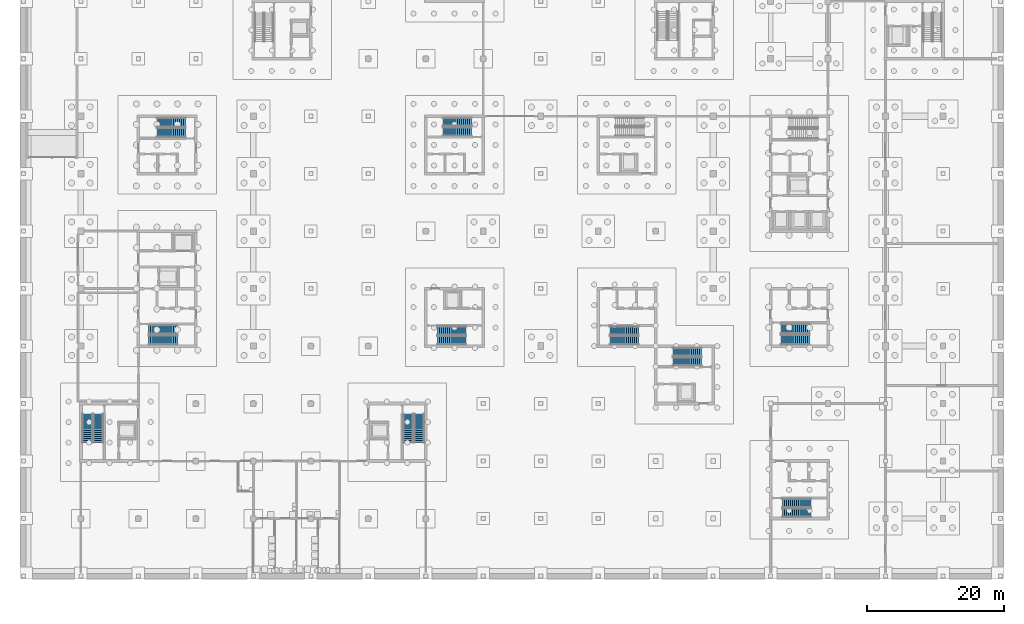
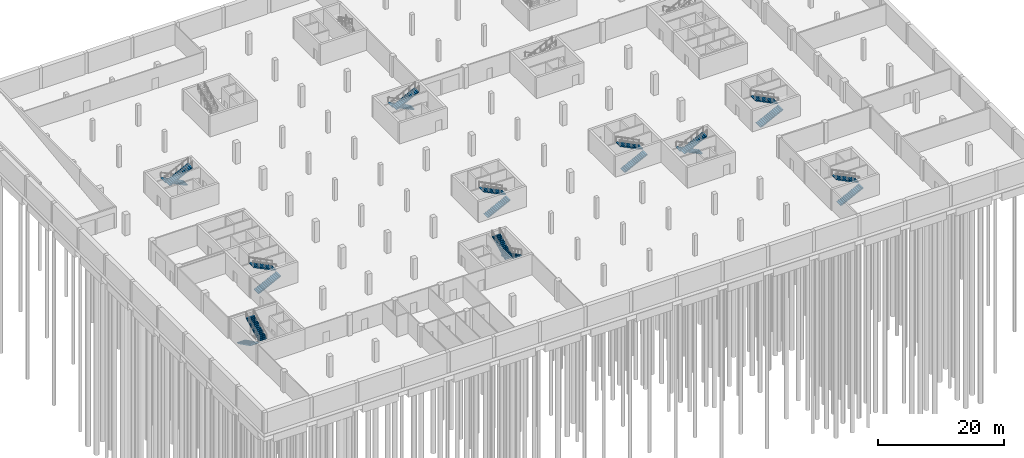
# One storey, part 19 of 23: 20 stair flights, 10 elements without a shape of their own.
"""IFC4 building model written with IfcOpenShell, lengths in metres."""

from ifc_helpers import new_model, si_unit, direction, frame, origin, place, context, subcontext, project, spatial, polyline, outline, extrude, material, type_object, element, aggregate, save


model = new_model("IFC4")

# Units and contexts
model_context = context("Model", 3, precision=1e-05, world=origin(), true_north=direction((0.0, 1.0)))
body_context = subcontext(model_context, "Body", "Model", "MODEL_VIEW")
ifc_project = project(units=[si_unit("LENGTHUNIT", "METRE"), si_unit("AREAUNIT", "SQUARE_METRE"), si_unit("VOLUMEUNIT", "CUBIC_METRE"), si_unit("PLANEANGLEUNIT", "RADIAN"), si_unit("MASSUNIT", "GRAM", prefix="KILO")], contexts=[model_context])

# Site, building, storey
site_placement = place(None, origin())
site = spatial("IfcSite", under=ifc_project, at=site_placement, CompositionType="ELEMENT")
building_placement = place(site_placement, origin())
building = spatial("IfcBuilding", under=site, at=building_placement, Name="Hlaing Beacon Police Headquarters", CompositionType="ELEMENT")
storey_placement = place(building_placement, frame((0.0, 0.0, -4.5)))
storey = spatial("IfcBuildingStorey", under=building, at=storey_placement, Name="B1", CompositionType="ELEMENT", Elevation=-4.5)

# Stair, stair flights
ifc_material_1 = material(Name="Concrete C40/50", Category="concrete")
stair_type_1 = type_object("IfcStairType", Name="Half-turn stair 1300 wide, 4500 rise", PredefinedType="HALF_TURN_STAIR", material=ifc_material_1)
stair_1_placement = place(storey_placement, origin())
stair_1 = element("IfcStair", 1, at=stair_1_placement, inside=storey, type_object=stair_type_1, Name="Stair ST-A", PredefinedType="HALF_TURN_STAIR")
ifc_material_2 = material(Name="Concrete C40/50", Category="concrete")
stair_flight_type_1 = type_object("IfcStairFlightType", Name="Stair flight 1300 wide, 15 risers", PredefinedType="STRAIGHT", material=ifc_material_2)
stair_flight_1_placement = place(storey_placement, frame((60.5, 34.449951171875, 0.0), z_axis=(0.0, 0.0, 1.0), x_axis=(1.0, 0.0, 0.0)))
stair_flight_1 = element("IfcStairFlight", 2, at=stair_flight_1_placement, type_object=stair_flight_type_1, Name="ST-A flight 1", NumberOfRisers=15, NumberOfTreads=14, PredefinedType="STRAIGHT", RiserHeight=0.15, TreadLength=0.3, context=body_context, shape_type="SweptSolid", body=[
    extrude(outline(polyline([(0.0, 0.0), (0.0, 0.14990234375), (0.300048828125, 0.14990234375), (0.300048828125, 0.300048828125), (0.60009765625, 0.300048828125), (0.60009765625, 0.449951171875), (0.89990234375, 0.449951171875), (0.89990234375, 0.60009765625), (1.199951171875, 0.60009765625), (1.199951171875, 0.75), (1.5, 0.75), (1.5, 0.89990234375), (1.800048828125, 0.89990234375), (1.800048828125, 1.050048828125), (2.10009765625, 1.050048828125), (2.10009765625, 1.199951171875), (2.39990234375, 1.199951171875), (2.39990234375, 1.35009765625), (2.699951171875, 1.35009765625), (2.699951171875, 1.5), (3.0, 1.5), (3.0, 1.64990234375), (3.300048828125, 1.64990234375), (3.300048828125, 1.800048828125), (3.60009765625, 1.800048828125), (3.60009765625, 1.949951171875), (3.89990234375, 1.949951171875), (3.89990234375, 2.10009765625), (4.199951171875, 2.10009765625), (4.199951171875, 2.25), (4.199951171875, 1.932373046875), (0.335205078125, 0.0), (0.0, 0.0)])), frame((0.0, 0.64990234375, 0.0), z_axis=(0.0, -1.0, 0.0), x_axis=(1.0, 0.0, 0.0)), (0.0, 0.0, 1.0), 1.300048828125),
])
stair_flight_2_placement = place(storey_placement, frame((64.699951171875, 35.85009765625, 2.25), z_axis=(0.0, 0.0, 1.0), x_axis=(-1.0, 0.0, 0.0)))
stair_flight_2 = element("IfcStairFlight", 3, at=stair_flight_2_placement, type_object=stair_flight_type_1, Name="ST-A flight 2", NumberOfRisers=15, NumberOfTreads=14, PredefinedType="STRAIGHT", RiserHeight=0.15, TreadLength=0.3, context=body_context, shape_type="SweptSolid", body=[
    extrude(outline(polyline([(0.0, 0.0), (0.0, 0.14990234375), (0.300048828125, 0.14990234375), (0.300048828125, 0.300048828125), (0.60009765625, 0.300048828125), (0.60009765625, 0.449951171875), (0.89990234375, 0.449951171875), (0.89990234375, 0.60009765625), (1.199951171875, 0.60009765625), (1.199951171875, 0.75), (1.5, 0.75), (1.5, 0.89990234375), (1.800048828125, 0.89990234375), (1.800048828125, 1.050048828125), (2.10009765625, 1.050048828125), (2.10009765625, 1.199951171875), (2.39990234375, 1.199951171875), (2.39990234375, 1.35009765625), (2.699951171875, 1.35009765625), (2.699951171875, 1.5), (3.0, 1.5), (3.0, 1.64990234375), (3.300048828125, 1.64990234375), (3.300048828125, 1.800048828125), (3.60009765625, 1.800048828125), (3.60009765625, 1.949951171875), (3.89990234375, 1.949951171875), (3.89990234375, 2.10009765625), (4.199951171875, 2.10009765625), (4.199951171875, 2.25), (4.199951171875, 1.932373046875), (0.335205078125, 0.0), (0.0, 0.0)])), frame((0.0, 0.64990234375, 0.0), z_axis=(0.0, -1.0, 0.0), x_axis=(1.0, 0.0, 0.0)), (0.0, 0.0, 1.0), 1.300048828125),
])
aggregate(stair_1, [stair_flight_1, stair_flight_2])

stair_2_placement = place(storey_placement, origin())
stair_2 = element("IfcStair", 4, at=stair_2_placement, inside=storey, type_object=stair_type_1, Name="Stair ST-B", PredefinedType="HALF_TURN_STAIR")
stair_flight_3_placement = place(storey_placement, frame((65.5, 66.35009765625, 0.0), z_axis=(0.0, 0.0, 1.0), x_axis=(-1.0, 0.0, 0.0)))
stair_flight_3 = element("IfcStairFlight", 5, at=stair_flight_3_placement, type_object=stair_flight_type_1, Name="ST-B flight 1", NumberOfRisers=15, NumberOfTreads=14, PredefinedType="STRAIGHT", RiserHeight=0.15, TreadLength=0.3, context=body_context, shape_type="SweptSolid", body=[
    extrude(outline(polyline([(0.0, 0.0), (0.0, 0.14990234375), (0.300048828125, 0.14990234375), (0.300048828125, 0.300048828125), (0.60009765625, 0.300048828125), (0.60009765625, 0.449951171875), (0.89990234375, 0.449951171875), (0.89990234375, 0.60009765625), (1.199951171875, 0.60009765625), (1.199951171875, 0.75), (1.5, 0.75), (1.5, 0.89990234375), (1.800048828125, 0.89990234375), (1.800048828125, 1.050048828125), (2.10009765625, 1.050048828125), (2.10009765625, 1.199951171875), (2.39990234375, 1.199951171875), (2.39990234375, 1.35009765625), (2.699951171875, 1.35009765625), (2.699951171875, 1.5), (3.0, 1.5), (3.0, 1.64990234375), (3.300048828125, 1.64990234375), (3.300048828125, 1.800048828125), (3.60009765625, 1.800048828125), (3.60009765625, 1.949951171875), (3.89990234375, 1.949951171875), (3.89990234375, 2.10009765625), (4.199951171875, 2.10009765625), (4.199951171875, 2.25), (4.199951171875, 1.932373046875), (0.335205078125, 0.0), (0.0, 0.0)])), frame((0.0, 0.64990234375, 0.0), z_axis=(0.0, -1.0, 0.0), x_axis=(1.0, 0.0, 0.0)), (0.0, 0.0, 1.0), 1.300048828125),
])
stair_flight_4_placement = place(storey_placement, frame((61.300048828125, 64.949951171875, 2.25), z_axis=(0.0, 0.0, 1.0), x_axis=(1.0, 0.0, 0.0)))
stair_flight_4 = element("IfcStairFlight", 6, at=stair_flight_4_placement, type_object=stair_flight_type_1, Name="ST-B flight 2", NumberOfRisers=15, NumberOfTreads=14, PredefinedType="STRAIGHT", RiserHeight=0.15, TreadLength=0.3, context=body_context, shape_type="SweptSolid", body=[
    extrude(outline(polyline([(0.0, 0.0), (0.0, 0.14990234375), (0.300048828125, 0.14990234375), (0.300048828125, 0.300048828125), (0.60009765625, 0.300048828125), (0.60009765625, 0.449951171875), (0.89990234375, 0.449951171875), (0.89990234375, 0.60009765625), (1.199951171875, 0.60009765625), (1.199951171875, 0.75), (1.5, 0.75), (1.5, 0.89990234375), (1.800048828125, 0.89990234375), (1.800048828125, 1.050048828125), (2.10009765625, 1.050048828125), (2.10009765625, 1.199951171875), (2.39990234375, 1.199951171875), (2.39990234375, 1.35009765625), (2.699951171875, 1.35009765625), (2.699951171875, 1.5), (3.0, 1.5), (3.0, 1.64990234375), (3.300048828125, 1.64990234375), (3.300048828125, 1.800048828125), (3.60009765625, 1.800048828125), (3.60009765625, 1.949951171875), (3.89990234375, 1.949951171875), (3.89990234375, 2.10009765625), (4.199951171875, 2.10009765625), (4.199951171875, 2.25), (4.199951171875, 1.932373046875), (0.335205078125, 0.0), (0.0, 0.0)])), frame((0.0, 0.64990234375, 0.0), z_axis=(0.0, -1.0, 0.0), x_axis=(1.0, 0.0, 0.0)), (0.0, 0.0, 1.0), 1.300048828125),
])
aggregate(stair_2, [stair_flight_3, stair_flight_4])

stair_3_placement = place(storey_placement, origin())
stair_3 = element("IfcStair", 7, at=stair_3_placement, inside=storey, type_object=stair_type_1, Name="Stair ST-C", PredefinedType="HALF_TURN_STAIR")
stair_flight_5_placement = place(storey_placement, frame((85.699951171875, 34.449951171875, 0.0), z_axis=(0.0, 0.0, 1.0), x_axis=(1.0, 0.0, 0.0)))
stair_flight_5 = element("IfcStairFlight", 8, at=stair_flight_5_placement, type_object=stair_flight_type_1, Name="ST-C flight 1", NumberOfRisers=15, NumberOfTreads=14, PredefinedType="STRAIGHT", RiserHeight=0.15, TreadLength=0.3, context=body_context, shape_type="SweptSolid", body=[
    extrude(outline(polyline([(0.0, 0.0), (0.0, 0.14990234375), (0.300048828125, 0.14990234375), (0.300048828125, 0.300048828125), (0.60009765625, 0.300048828125), (0.60009765625, 0.449951171875), (0.89990234375, 0.449951171875), (0.89990234375, 0.60009765625), (1.199951171875, 0.60009765625), (1.199951171875, 0.75), (1.5, 0.75), (1.5, 0.89990234375), (1.800048828125, 0.89990234375), (1.800048828125, 1.050048828125), (2.10009765625, 1.050048828125), (2.10009765625, 1.199951171875), (2.39990234375, 1.199951171875), (2.39990234375, 1.35009765625), (2.699951171875, 1.35009765625), (2.699951171875, 1.5), (3.0, 1.5), (3.0, 1.64990234375), (3.300048828125, 1.64990234375), (3.300048828125, 1.800048828125), (3.60009765625, 1.800048828125), (3.60009765625, 1.949951171875), (3.89990234375, 1.949951171875), (3.89990234375, 2.10009765625), (4.199951171875, 2.10009765625), (4.199951171875, 2.25), (4.199951171875, 1.932373046875), (0.335205078125, 0.0), (0.0, 0.0)])), frame((0.0, 0.64990234375, 0.0), z_axis=(0.0, -1.0, 0.0), x_axis=(1.0, 0.0, 0.0)), (0.0, 0.0, 1.0), 1.300048828125),
])
stair_flight_6_placement = place(storey_placement, frame((89.89990234375, 35.85009765625, 2.25), z_axis=(0.0, 0.0, 1.0), x_axis=(-1.0, 0.0, 0.0)))
stair_flight_6 = element("IfcStairFlight", 9, at=stair_flight_6_placement, type_object=stair_flight_type_1, Name="ST-C flight 2", NumberOfRisers=15, NumberOfTreads=14, PredefinedType="STRAIGHT", RiserHeight=0.15, TreadLength=0.3, context=body_context, shape_type="SweptSolid", body=[
    extrude(outline(polyline([(0.0, 0.0), (0.0, 0.14990234375), (0.300048828125, 0.14990234375), (0.300048828125, 0.300048828125), (0.60009765625, 0.300048828125), (0.60009765625, 0.449951171875), (0.89990234375, 0.449951171875), (0.89990234375, 0.60009765625), (1.199951171875, 0.60009765625), (1.199951171875, 0.75), (1.5, 0.75), (1.5, 0.89990234375), (1.800048828125, 0.89990234375), (1.800048828125, 1.050048828125), (2.10009765625, 1.050048828125), (2.10009765625, 1.199951171875), (2.39990234375, 1.199951171875), (2.39990234375, 1.35009765625), (2.699951171875, 1.35009765625), (2.699951171875, 1.5), (3.0, 1.5), (3.0, 1.64990234375), (3.300048828125, 1.64990234375), (3.300048828125, 1.800048828125), (3.60009765625, 1.800048828125), (3.60009765625, 1.949951171875), (3.89990234375, 1.949951171875), (3.89990234375, 2.10009765625), (4.199951171875, 2.10009765625), (4.199951171875, 2.25), (4.199951171875, 1.932373046875), (0.335205078125, 0.0), (0.0, 0.0)])), frame((0.0, 0.64990234375, 0.0), z_axis=(0.0, -1.0, 0.0), x_axis=(1.0, 0.0, 0.0)), (0.0, 0.0, 1.0), 1.300048828125),
])
aggregate(stair_3, [stair_flight_5, stair_flight_6])

stair_4_placement = place(storey_placement, origin())
stair_4 = element("IfcStair", 10, at=stair_4_placement, inside=storey, type_object=stair_type_1, Name="Stair ST-G", PredefinedType="HALF_TURN_STAIR")
stair_flight_7_placement = place(storey_placement, frame((99.10009765625, 32.75, 0.0), z_axis=(0.0, 0.0, 1.0), x_axis=(-1.0, 0.0, 0.0)))
stair_flight_7 = element("IfcStairFlight", 11, at=stair_flight_7_placement, type_object=stair_flight_type_1, Name="ST-G flight 1", NumberOfRisers=15, NumberOfTreads=14, PredefinedType="STRAIGHT", RiserHeight=0.15, TreadLength=0.3, context=body_context, shape_type="SweptSolid", body=[
    extrude(outline(polyline([(0.0, 0.0), (0.0, 0.14990234375), (0.300048828125, 0.14990234375), (0.300048828125, 0.300048828125), (0.60009765625, 0.300048828125), (0.60009765625, 0.449951171875), (0.89990234375, 0.449951171875), (0.89990234375, 0.60009765625), (1.199951171875, 0.60009765625), (1.199951171875, 0.75), (1.5, 0.75), (1.5, 0.89990234375), (1.800048828125, 0.89990234375), (1.800048828125, 1.050048828125), (2.10009765625, 1.050048828125), (2.10009765625, 1.199951171875), (2.39990234375, 1.199951171875), (2.39990234375, 1.35009765625), (2.699951171875, 1.35009765625), (2.699951171875, 1.5), (3.0, 1.5), (3.0, 1.64990234375), (3.300048828125, 1.64990234375), (3.300048828125, 1.800048828125), (3.60009765625, 1.800048828125), (3.60009765625, 1.949951171875), (3.89990234375, 1.949951171875), (3.89990234375, 2.10009765625), (4.199951171875, 2.10009765625), (4.199951171875, 2.25), (4.199951171875, 1.932373046875), (0.335205078125, 0.0), (0.0, 0.0)])), frame((0.0, 0.64990234375, 0.0), z_axis=(0.0, -1.0, 0.0), x_axis=(1.0, 0.0, 0.0)), (0.0, 0.0, 1.0), 1.300048828125),
])
stair_flight_8_placement = place(storey_placement, frame((94.89990234375, 31.35009765625, 2.25), z_axis=(0.0, 0.0, 1.0), x_axis=(1.0, 0.0, 0.0)))
stair_flight_8 = element("IfcStairFlight", 12, at=stair_flight_8_placement, type_object=stair_flight_type_1, Name="ST-G flight 2", NumberOfRisers=15, NumberOfTreads=14, PredefinedType="STRAIGHT", RiserHeight=0.15, TreadLength=0.3, context=body_context, shape_type="SweptSolid", body=[
    extrude(outline(polyline([(0.0, 0.0), (0.0, 0.14990234375), (0.300048828125, 0.14990234375), (0.300048828125, 0.300048828125), (0.60009765625, 0.300048828125), (0.60009765625, 0.449951171875), (0.89990234375, 0.449951171875), (0.89990234375, 0.60009765625), (1.199951171875, 0.60009765625), (1.199951171875, 0.75), (1.5, 0.75), (1.5, 0.89990234375), (1.800048828125, 0.89990234375), (1.800048828125, 1.050048828125), (2.10009765625, 1.050048828125), (2.10009765625, 1.199951171875), (2.39990234375, 1.199951171875), (2.39990234375, 1.35009765625), (2.699951171875, 1.35009765625), (2.699951171875, 1.5), (3.0, 1.5), (3.0, 1.64990234375), (3.300048828125, 1.64990234375), (3.300048828125, 1.800048828125), (3.60009765625, 1.800048828125), (3.60009765625, 1.949951171875), (3.89990234375, 1.949951171875), (3.89990234375, 2.10009765625), (4.199951171875, 2.10009765625), (4.199951171875, 2.25), (4.199951171875, 1.932373046875), (0.335205078125, 0.0), (0.0, 0.0)])), frame((0.0, 0.64990234375, 0.0), z_axis=(0.0, -1.0, 0.0), x_axis=(1.0, 0.0, 0.0)), (0.0, 0.0, 1.0), 1.300048828125),
])
aggregate(stair_4, [stair_flight_7, stair_flight_8])

stair_5_placement = place(storey_placement, origin())
stair_5 = element("IfcStair", 13, at=stair_5_placement, inside=storey, type_object=stair_type_1, Name="Stair ST-H", PredefinedType="HALF_TURN_STAIR")
stair_flight_9_placement = place(storey_placement, frame((110.89990234375, 9.25, 0.0), z_axis=(0.0, 0.0, 1.0), x_axis=(1.0, 0.0, 0.0)))
stair_flight_9 = element("IfcStairFlight", 14, at=stair_flight_9_placement, type_object=stair_flight_type_1, Name="ST-H flight 1", NumberOfRisers=15, NumberOfTreads=14, PredefinedType="STRAIGHT", RiserHeight=0.15, TreadLength=0.3, context=body_context, shape_type="SweptSolid", body=[
    extrude(outline(polyline([(0.0, 0.0), (0.0, 0.14990234375), (0.300048828125, 0.14990234375), (0.300048828125, 0.300048828125), (0.60009765625, 0.300048828125), (0.60009765625, 0.449951171875), (0.89990234375, 0.449951171875), (0.89990234375, 0.60009765625), (1.199951171875, 0.60009765625), (1.199951171875, 0.75), (1.5, 0.75), (1.5, 0.89990234375), (1.800048828125, 0.89990234375), (1.800048828125, 1.050048828125), (2.10009765625, 1.050048828125), (2.10009765625, 1.199951171875), (2.39990234375, 1.199951171875), (2.39990234375, 1.35009765625), (2.699951171875, 1.35009765625), (2.699951171875, 1.5), (3.0, 1.5), (3.0, 1.64990234375), (3.300048828125, 1.64990234375), (3.300048828125, 1.800048828125), (3.60009765625, 1.800048828125), (3.60009765625, 1.949951171875), (3.89990234375, 1.949951171875), (3.89990234375, 2.10009765625), (4.199951171875, 2.10009765625), (4.199951171875, 2.25), (4.199951171875, 1.932373046875), (0.335205078125, 0.0), (0.0, 0.0)])), frame((0.0, 0.64990234375, 0.0), z_axis=(0.0, -1.0, 0.0), x_axis=(1.0, 0.0, 0.0)), (0.0, 0.0, 1.0), 1.300048828125),
])
stair_flight_10_placement = place(storey_placement, frame((115.10009765625, 10.64990234375, 2.25), z_axis=(0.0, 0.0, 1.0), x_axis=(-1.0, 0.0, 0.0)))
stair_flight_10 = element("IfcStairFlight", 15, at=stair_flight_10_placement, type_object=stair_flight_type_1, Name="ST-H flight 2", NumberOfRisers=15, NumberOfTreads=14, PredefinedType="STRAIGHT", RiserHeight=0.15, TreadLength=0.3, context=body_context, shape_type="SweptSolid", body=[
    extrude(outline(polyline([(0.0, 0.0), (0.0, 0.14990234375), (0.300048828125, 0.14990234375), (0.300048828125, 0.300048828125), (0.60009765625, 0.300048828125), (0.60009765625, 0.449951171875), (0.89990234375, 0.449951171875), (0.89990234375, 0.60009765625), (1.199951171875, 0.60009765625), (1.199951171875, 0.75), (1.5, 0.75), (1.5, 0.89990234375), (1.800048828125, 0.89990234375), (1.800048828125, 1.050048828125), (2.10009765625, 1.050048828125), (2.10009765625, 1.199951171875), (2.39990234375, 1.199951171875), (2.39990234375, 1.35009765625), (2.699951171875, 1.35009765625), (2.699951171875, 1.5), (3.0, 1.5), (3.0, 1.64990234375), (3.300048828125, 1.64990234375), (3.300048828125, 1.800048828125), (3.60009765625, 1.800048828125), (3.60009765625, 1.949951171875), (3.89990234375, 1.949951171875), (3.89990234375, 2.10009765625), (4.199951171875, 2.10009765625), (4.199951171875, 2.25), (4.199951171875, 1.932373046875), (0.335205078125, 0.0), (0.0, 0.0)])), frame((0.0, 0.64990234375, 0.0), z_axis=(0.0, -1.0, 0.0), x_axis=(1.0, 0.0, 0.0)), (0.0, 0.0, 1.0), 1.300048828125),
])
aggregate(stair_5, [stair_flight_9, stair_flight_10])

ifc_material_3 = material(Name="Concrete C40/50", Category="concrete")
stair_type_2 = type_object("IfcStairType", Name="Half-turn stair 1400 wide, 4500 rise", PredefinedType="HALF_TURN_STAIR", material=ifc_material_3)
stair_6_placement = place(storey_placement, origin())
stair_6 = element("IfcStair", 16, at=stair_6_placement, inside=storey, type_object=stair_type_2, Name="Stair ST-P", PredefinedType="HALF_TURN_STAIR")
ifc_material_4 = material(Name="Concrete C40/50", Category="concrete")
stair_flight_type_2 = type_object("IfcStairFlightType", Name="Stair flight 1400 wide, 15 risers", PredefinedType="STRAIGHT", material=ifc_material_4)
stair_flight_11_placement = place(storey_placement, frame((23.699951171875, 66.300048828125, 0.0), z_axis=(0.0, 0.0, 1.0), x_axis=(-1.0, 0.0, 0.0)))
stair_flight_11 = element("IfcStairFlight", 17, at=stair_flight_11_placement, type_object=stair_flight_type_2, Name="ST-P flight 1", NumberOfRisers=15, NumberOfTreads=14, PredefinedType="STRAIGHT", RiserHeight=0.15, TreadLength=0.3, context=body_context, shape_type="SweptSolid", body=[
    extrude(outline(polyline([(0.0, 0.0), (0.0, 0.14990234375), (0.300048828125, 0.14990234375), (0.300048828125, 0.300048828125), (0.60009765625, 0.300048828125), (0.60009765625, 0.449951171875), (0.89990234375, 0.449951171875), (0.89990234375, 0.60009765625), (1.199951171875, 0.60009765625), (1.199951171875, 0.75), (1.5, 0.75), (1.5, 0.89990234375), (1.800048828125, 0.89990234375), (1.800048828125, 1.050048828125), (2.10009765625, 1.050048828125), (2.10009765625, 1.199951171875), (2.39990234375, 1.199951171875), (2.39990234375, 1.35009765625), (2.699951171875, 1.35009765625), (2.699951171875, 1.5), (3.0, 1.5), (3.0, 1.64990234375), (3.300048828125, 1.64990234375), (3.300048828125, 1.800048828125), (3.60009765625, 1.800048828125), (3.60009765625, 1.949951171875), (3.89990234375, 1.949951171875), (3.89990234375, 2.10009765625), (4.199951171875, 2.10009765625), (4.199951171875, 2.25), (4.199951171875, 1.932373046875), (0.335205078125, 0.0), (0.0, 0.0)])), frame((0.0, 0.699951171875, 0.0), z_axis=(0.0, -1.0, 0.0), x_axis=(1.0, 0.0, 0.0)), (0.0, 0.0, 1.0), 1.39990234375),
])
stair_flight_12_placement = place(storey_placement, frame((19.5, 64.800048828125, 2.25), z_axis=(0.0, 0.0, 1.0), x_axis=(1.0, 0.0, 0.0)))
stair_flight_12 = element("IfcStairFlight", 18, at=stair_flight_12_placement, type_object=stair_flight_type_2, Name="ST-P flight 2", NumberOfRisers=15, NumberOfTreads=14, PredefinedType="STRAIGHT", RiserHeight=0.15, TreadLength=0.3, context=body_context, shape_type="SweptSolid", body=[
    extrude(outline(polyline([(0.0, 0.0), (0.0, 0.14990234375), (0.300048828125, 0.14990234375), (0.300048828125, 0.300048828125), (0.60009765625, 0.300048828125), (0.60009765625, 0.449951171875), (0.89990234375, 0.449951171875), (0.89990234375, 0.60009765625), (1.199951171875, 0.60009765625), (1.199951171875, 0.75), (1.5, 0.75), (1.5, 0.89990234375), (1.800048828125, 0.89990234375), (1.800048828125, 1.050048828125), (2.10009765625, 1.050048828125), (2.10009765625, 1.199951171875), (2.39990234375, 1.199951171875), (2.39990234375, 1.35009765625), (2.699951171875, 1.35009765625), (2.699951171875, 1.5), (3.0, 1.5), (3.0, 1.64990234375), (3.300048828125, 1.64990234375), (3.300048828125, 1.800048828125), (3.60009765625, 1.800048828125), (3.60009765625, 1.949951171875), (3.89990234375, 1.949951171875), (3.89990234375, 2.10009765625), (4.199951171875, 2.10009765625), (4.199951171875, 2.25), (4.199951171875, 1.932373046875), (0.335205078125, 0.0), (0.0, 0.0)])), frame((0.0, 0.699951171875, 0.0), z_axis=(0.0, -1.0, 0.0), x_axis=(1.0, 0.0, 0.0)), (0.0, 0.0, 1.0), 1.39990234375),
])
aggregate(stair_6, [stair_flight_11, stair_flight_12])

stair_7_placement = place(storey_placement, origin())
stair_7 = element("IfcStair", 19, at=stair_7_placement, inside=storey, type_object=stair_type_2, Name="Stair ST-N", PredefinedType="HALF_TURN_STAIR")
stair_flight_13_placement = place(storey_placement, frame((18.300048828125, 34.5, 0.0), z_axis=(0.0, 0.0, 1.0), x_axis=(1.0, 0.0, 0.0)))
stair_flight_13 = element("IfcStairFlight", 20, at=stair_flight_13_placement, type_object=stair_flight_type_2, Name="ST-N flight 1", NumberOfRisers=15, NumberOfTreads=14, PredefinedType="STRAIGHT", RiserHeight=0.15, TreadLength=0.3, context=body_context, shape_type="SweptSolid", body=[
    extrude(outline(polyline([(0.0, 0.0), (0.0, 0.14990234375), (0.300048828125, 0.14990234375), (0.300048828125, 0.300048828125), (0.60009765625, 0.300048828125), (0.60009765625, 0.449951171875), (0.89990234375, 0.449951171875), (0.89990234375, 0.60009765625), (1.199951171875, 0.60009765625), (1.199951171875, 0.75), (1.5, 0.75), (1.5, 0.89990234375), (1.800048828125, 0.89990234375), (1.800048828125, 1.050048828125), (2.10009765625, 1.050048828125), (2.10009765625, 1.199951171875), (2.39990234375, 1.199951171875), (2.39990234375, 1.35009765625), (2.699951171875, 1.35009765625), (2.699951171875, 1.5), (3.0, 1.5), (3.0, 1.64990234375), (3.300048828125, 1.64990234375), (3.300048828125, 1.800048828125), (3.60009765625, 1.800048828125), (3.60009765625, 1.949951171875), (3.89990234375, 1.949951171875), (3.89990234375, 2.10009765625), (4.199951171875, 2.10009765625), (4.199951171875, 2.25), (4.199951171875, 1.932373046875), (0.335205078125, 0.0), (0.0, 0.0)])), frame((0.0, 0.699951171875, 0.0), z_axis=(0.0, -1.0, 0.0), x_axis=(1.0, 0.0, 0.0)), (0.0, 0.0, 1.0), 1.39990234375),
])
stair_flight_14_placement = place(storey_placement, frame((22.5, 36.0, 2.25), z_axis=(0.0, 0.0, 1.0), x_axis=(-1.0, 0.0, 0.0)))
stair_flight_14 = element("IfcStairFlight", 21, at=stair_flight_14_placement, type_object=stair_flight_type_2, Name="ST-N flight 2", NumberOfRisers=15, NumberOfTreads=14, PredefinedType="STRAIGHT", RiserHeight=0.15, TreadLength=0.3, context=body_context, shape_type="SweptSolid", body=[
    extrude(outline(polyline([(0.0, 0.0), (0.0, 0.14990234375), (0.300048828125, 0.14990234375), (0.300048828125, 0.300048828125), (0.60009765625, 0.300048828125), (0.60009765625, 0.449951171875), (0.89990234375, 0.449951171875), (0.89990234375, 0.60009765625), (1.199951171875, 0.60009765625), (1.199951171875, 0.75), (1.5, 0.75), (1.5, 0.89990234375), (1.800048828125, 0.89990234375), (1.800048828125, 1.050048828125), (2.10009765625, 1.050048828125), (2.10009765625, 1.199951171875), (2.39990234375, 1.199951171875), (2.39990234375, 1.35009765625), (2.699951171875, 1.35009765625), (2.699951171875, 1.5), (3.0, 1.5), (3.0, 1.64990234375), (3.300048828125, 1.64990234375), (3.300048828125, 1.800048828125), (3.60009765625, 1.800048828125), (3.60009765625, 1.949951171875), (3.89990234375, 1.949951171875), (3.89990234375, 2.10009765625), (4.199951171875, 2.10009765625), (4.199951171875, 2.25), (4.199951171875, 1.932373046875), (0.335205078125, 0.0), (0.0, 0.0)])), frame((0.0, 0.699951171875, 0.0), z_axis=(0.0, -1.0, 0.0), x_axis=(1.0, 0.0, 0.0)), (0.0, 0.0, 1.0), 1.39990234375),
])
aggregate(stair_7, [stair_flight_13, stair_flight_14])

ifc_material_5 = material(Name="Concrete C40/50", Category="concrete")
stair_type_3 = type_object("IfcStairType", Name="Half-turn stair 1500 wide, 4500 rise", PredefinedType="HALF_TURN_STAIR", material=ifc_material_5)
stair_8_placement = place(storey_placement, origin())
stair_8 = element("IfcStair", 22, at=stair_8_placement, inside=storey, type_object=stair_type_3, Name="Stair ST-J", PredefinedType="HALF_TURN_STAIR")
ifc_material_6 = material(Name="Concrete C40/50", Category="concrete")
stair_flight_type_3 = type_object("IfcStairFlightType", Name="Stair flight 1500 wide, 15 risers", PredefinedType="STRAIGHT", material=ifc_material_6)
stair_flight_15_placement = place(storey_placement, frame((9.35009765625, 23.699951171875, 0.0), z_axis=(0.0, 0.0, 1.0), x_axis=(0.0, -1.0, 0.0)))
stair_flight_15 = element("IfcStairFlight", 23, at=stair_flight_15_placement, type_object=stair_flight_type_3, Name="ST-J flight 1", NumberOfRisers=15, NumberOfTreads=14, PredefinedType="STRAIGHT", RiserHeight=0.15, TreadLength=0.3, context=body_context, shape_type="SweptSolid", body=[
    extrude(outline(polyline([(0.0, 0.0), (0.0, 0.14990234375), (0.300048828125, 0.14990234375), (0.300048828125, 0.300048828125), (0.60009765625, 0.300048828125), (0.60009765625, 0.449951171875), (0.89990234375, 0.449951171875), (0.89990234375, 0.60009765625), (1.199951171875, 0.60009765625), (1.199951171875, 0.75), (1.5, 0.75), (1.5, 0.89990234375), (1.800048828125, 0.89990234375), (1.800048828125, 1.050048828125), (2.10009765625, 1.050048828125), (2.10009765625, 1.199951171875), (2.39990234375, 1.199951171875), (2.39990234375, 1.35009765625), (2.699951171875, 1.35009765625), (2.699951171875, 1.5), (3.0, 1.5), (3.0, 1.64990234375), (3.300048828125, 1.64990234375), (3.300048828125, 1.800048828125), (3.60009765625, 1.800048828125), (3.60009765625, 1.949951171875), (3.89990234375, 1.949951171875), (3.89990234375, 2.10009765625), (4.199951171875, 2.10009765625), (4.199951171875, 2.25), (4.199951171875, 1.932373046875), (0.335205078125, 0.0), (0.0, 0.0)])), frame((0.0, 0.75, 0.0), z_axis=(0.0, -1.0, 0.0), x_axis=(1.0, 0.0, 0.0)), (0.0, 0.0, 1.0), 1.5),
])
stair_flight_16_placement = place(storey_placement, frame((10.949951171875, 19.5, 2.25), z_axis=(0.0, 0.0, 1.0), x_axis=(0.0, 1.0, 0.0)))
stair_flight_16 = element("IfcStairFlight", 24, at=stair_flight_16_placement, type_object=stair_flight_type_3, Name="ST-J flight 2", NumberOfRisers=15, NumberOfTreads=14, PredefinedType="STRAIGHT", RiserHeight=0.15, TreadLength=0.3, context=body_context, shape_type="SweptSolid", body=[
    extrude(outline(polyline([(0.0, 0.0), (0.0, 0.14990234375), (0.300048828125, 0.14990234375), (0.300048828125, 0.300048828125), (0.60009765625, 0.300048828125), (0.60009765625, 0.449951171875), (0.89990234375, 0.449951171875), (0.89990234375, 0.60009765625), (1.199951171875, 0.60009765625), (1.199951171875, 0.75), (1.5, 0.75), (1.5, 0.89990234375), (1.800048828125, 0.89990234375), (1.800048828125, 1.050048828125), (2.10009765625, 1.050048828125), (2.10009765625, 1.199951171875), (2.39990234375, 1.199951171875), (2.39990234375, 1.35009765625), (2.699951171875, 1.35009765625), (2.699951171875, 1.5), (3.0, 1.5), (3.0, 1.64990234375), (3.300048828125, 1.64990234375), (3.300048828125, 1.800048828125), (3.60009765625, 1.800048828125), (3.60009765625, 1.949951171875), (3.89990234375, 1.949951171875), (3.89990234375, 2.10009765625), (4.199951171875, 2.10009765625), (4.199951171875, 2.25), (4.199951171875, 1.932373046875), (0.335205078125, 0.0), (0.0, 0.0)])), frame((0.0, 0.75, 0.0), z_axis=(0.0, -1.0, 0.0), x_axis=(1.0, 0.0, 0.0)), (0.0, 0.0, 1.0), 1.5),
])
aggregate(stair_8, [stair_flight_15, stair_flight_16])

stair_9_placement = place(storey_placement, origin())
stair_9 = element("IfcStair", 25, at=stair_9_placement, inside=storey, type_object=stair_type_3, Name="Stair ST-K", PredefinedType="HALF_TURN_STAIR")
stair_flight_17_placement = place(storey_placement, frame((57.85009765625, 23.699951171875, 0.0), z_axis=(0.0, 0.0, 1.0), x_axis=(0.0, -1.0, 0.0)))
stair_flight_17 = element("IfcStairFlight", 26, at=stair_flight_17_placement, type_object=stair_flight_type_3, Name="ST-K flight 1", NumberOfRisers=15, NumberOfTreads=14, PredefinedType="STRAIGHT", RiserHeight=0.15, TreadLength=0.3, context=body_context, shape_type="SweptSolid", body=[
    extrude(outline(polyline([(0.0, 0.0), (0.0, 0.14990234375), (0.300048828125, 0.14990234375), (0.300048828125, 0.300048828125), (0.60009765625, 0.300048828125), (0.60009765625, 0.449951171875), (0.89990234375, 0.449951171875), (0.89990234375, 0.60009765625), (1.199951171875, 0.60009765625), (1.199951171875, 0.75), (1.5, 0.75), (1.5, 0.89990234375), (1.800048828125, 0.89990234375), (1.800048828125, 1.050048828125), (2.10009765625, 1.050048828125), (2.10009765625, 1.199951171875), (2.39990234375, 1.199951171875), (2.39990234375, 1.35009765625), (2.699951171875, 1.35009765625), (2.699951171875, 1.5), (3.0, 1.5), (3.0, 1.64990234375), (3.300048828125, 1.64990234375), (3.300048828125, 1.800048828125), (3.60009765625, 1.800048828125), (3.60009765625, 1.949951171875), (3.89990234375, 1.949951171875), (3.89990234375, 2.10009765625), (4.199951171875, 2.10009765625), (4.199951171875, 2.25), (4.199951171875, 1.932373046875), (0.335205078125, 0.0), (0.0, 0.0)])), frame((0.0, 0.75, 0.0), z_axis=(0.0, -1.0, 0.0), x_axis=(1.0, 0.0, 0.0)), (0.0, 0.0, 1.0), 1.5),
])
stair_flight_18_placement = place(storey_placement, frame((56.25, 19.5, 2.25), z_axis=(0.0, 0.0, 1.0), x_axis=(0.0, 1.0, 0.0)))
stair_flight_18 = element("IfcStairFlight", 27, at=stair_flight_18_placement, type_object=stair_flight_type_3, Name="ST-K flight 2", NumberOfRisers=15, NumberOfTreads=14, PredefinedType="STRAIGHT", RiserHeight=0.15, TreadLength=0.3, context=body_context, shape_type="SweptSolid", body=[
    extrude(outline(polyline([(0.0, 0.0), (0.0, 0.14990234375), (0.300048828125, 0.14990234375), (0.300048828125, 0.300048828125), (0.60009765625, 0.300048828125), (0.60009765625, 0.449951171875), (0.89990234375, 0.449951171875), (0.89990234375, 0.60009765625), (1.199951171875, 0.60009765625), (1.199951171875, 0.75), (1.5, 0.75), (1.5, 0.89990234375), (1.800048828125, 0.89990234375), (1.800048828125, 1.050048828125), (2.10009765625, 1.050048828125), (2.10009765625, 1.199951171875), (2.39990234375, 1.199951171875), (2.39990234375, 1.35009765625), (2.699951171875, 1.35009765625), (2.699951171875, 1.5), (3.0, 1.5), (3.0, 1.64990234375), (3.300048828125, 1.64990234375), (3.300048828125, 1.800048828125), (3.60009765625, 1.800048828125), (3.60009765625, 1.949951171875), (3.89990234375, 1.949951171875), (3.89990234375, 2.10009765625), (4.199951171875, 2.10009765625), (4.199951171875, 2.25), (4.199951171875, 1.932373046875), (0.335205078125, 0.0), (0.0, 0.0)])), frame((0.0, 0.75, 0.0), z_axis=(0.0, -1.0, 0.0), x_axis=(1.0, 0.0, 0.0)), (0.0, 0.0, 1.0), 1.5),
])
aggregate(stair_9, [stair_flight_17, stair_flight_18])

stair_10_placement = place(storey_placement, origin())
stair_10 = element("IfcStair", 28, at=stair_10_placement, inside=storey, type_object=stair_type_3, Name="Stair ST-L", PredefinedType="HALF_TURN_STAIR")
stair_flight_19_placement = place(storey_placement, frame((110.699951171875, 34.550048828125, 0.0), z_axis=(0.0, 0.0, 1.0), x_axis=(1.0, 0.0, 0.0)))
stair_flight_19 = element("IfcStairFlight", 29, at=stair_flight_19_placement, type_object=stair_flight_type_3, Name="ST-L flight 1", NumberOfRisers=15, NumberOfTreads=14, PredefinedType="STRAIGHT", RiserHeight=0.15, TreadLength=0.3, context=body_context, shape_type="SweptSolid", body=[
    extrude(outline(polyline([(0.0, 0.0), (0.0, 0.14990234375), (0.300048828125, 0.14990234375), (0.300048828125, 0.300048828125), (0.60009765625, 0.300048828125), (0.60009765625, 0.449951171875), (0.89990234375, 0.449951171875), (0.89990234375, 0.60009765625), (1.199951171875, 0.60009765625), (1.199951171875, 0.75), (1.5, 0.75), (1.5, 0.89990234375), (1.800048828125, 0.89990234375), (1.800048828125, 1.050048828125), (2.10009765625, 1.050048828125), (2.10009765625, 1.199951171875), (2.39990234375, 1.199951171875), (2.39990234375, 1.35009765625), (2.699951171875, 1.35009765625), (2.699951171875, 1.5), (3.0, 1.5), (3.0, 1.64990234375), (3.300048828125, 1.64990234375), (3.300048828125, 1.800048828125), (3.60009765625, 1.800048828125), (3.60009765625, 1.949951171875), (3.89990234375, 1.949951171875), (3.89990234375, 2.10009765625), (4.199951171875, 2.10009765625), (4.199951171875, 2.25), (4.199951171875, 1.932373046875), (0.335205078125, 0.0), (0.0, 0.0)])), frame((0.0, 0.75, 0.0), z_axis=(0.0, -1.0, 0.0), x_axis=(1.0, 0.0, 0.0)), (0.0, 0.0, 1.0), 1.5),
])
stair_flight_20_placement = place(storey_placement, frame((114.89990234375, 36.14990234375, 2.25), z_axis=(0.0, 0.0, 1.0), x_axis=(-1.0, 0.0, 0.0)))
stair_flight_20 = element("IfcStairFlight", 30, at=stair_flight_20_placement, type_object=stair_flight_type_3, Name="ST-L flight 2", NumberOfRisers=15, NumberOfTreads=14, PredefinedType="STRAIGHT", RiserHeight=0.15, TreadLength=0.3, context=body_context, shape_type="SweptSolid", body=[
    extrude(outline(polyline([(0.0, 0.0), (0.0, 0.14990234375), (0.300048828125, 0.14990234375), (0.300048828125, 0.300048828125), (0.60009765625, 0.300048828125), (0.60009765625, 0.449951171875), (0.89990234375, 0.449951171875), (0.89990234375, 0.60009765625), (1.199951171875, 0.60009765625), (1.199951171875, 0.75), (1.5, 0.75), (1.5, 0.89990234375), (1.800048828125, 0.89990234375), (1.800048828125, 1.050048828125), (2.10009765625, 1.050048828125), (2.10009765625, 1.199951171875), (2.39990234375, 1.199951171875), (2.39990234375, 1.35009765625), (2.699951171875, 1.35009765625), (2.699951171875, 1.5), (3.0, 1.5), (3.0, 1.64990234375), (3.300048828125, 1.64990234375), (3.300048828125, 1.800048828125), (3.60009765625, 1.800048828125), (3.60009765625, 1.949951171875), (3.89990234375, 1.949951171875), (3.89990234375, 2.10009765625), (4.199951171875, 2.10009765625), (4.199951171875, 2.25), (4.199951171875, 1.932373046875), (0.335205078125, 0.0), (0.0, 0.0)])), frame((0.0, 0.75, 0.0), z_axis=(0.0, -1.0, 0.0), x_axis=(1.0, 0.0, 0.0)), (0.0, 0.0, 1.0), 1.5),
])
aggregate(stair_10, [stair_flight_19, stair_flight_20])

save(model, "model.ifc")
